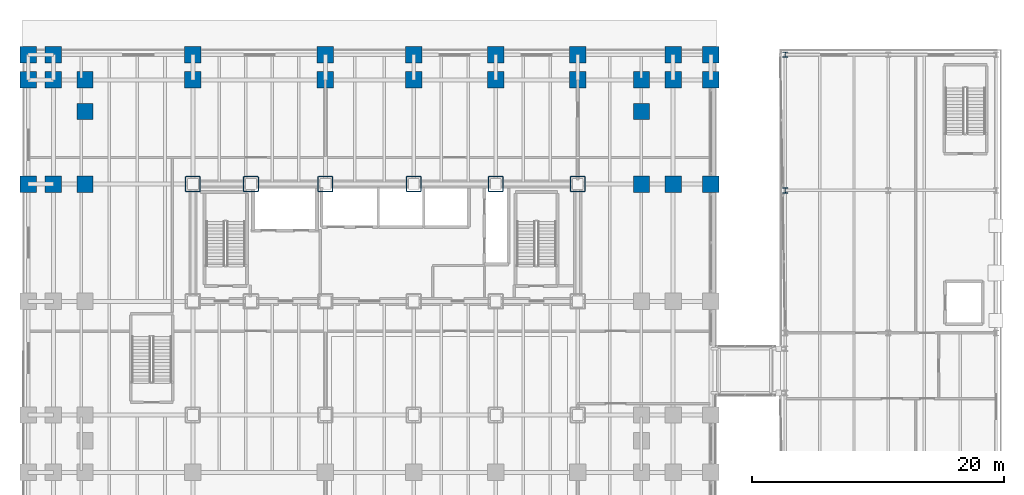
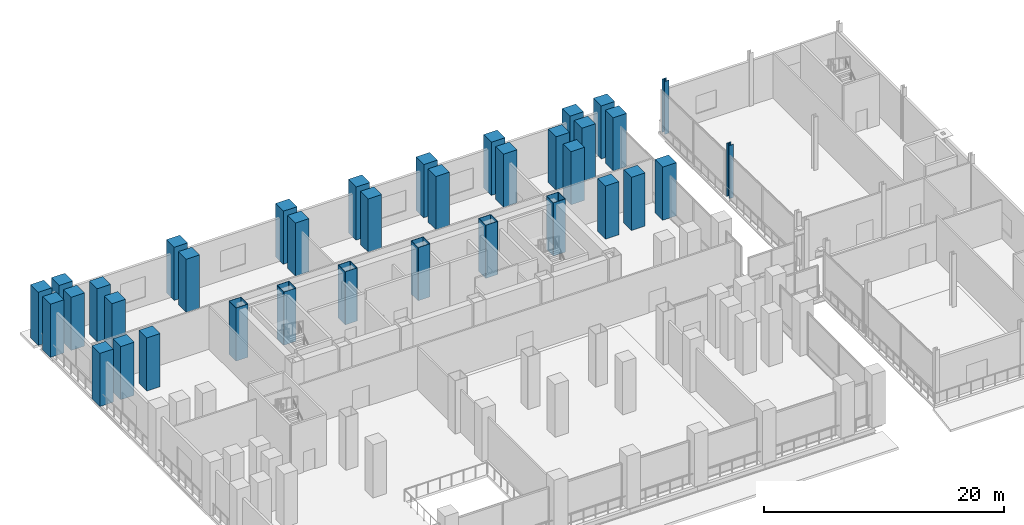
# One storey, part 2 of 32: 36 columns.
"""IFC4 building model written with IfcOpenShell, lengths in metres."""

from ifc_helpers import new_model, si_unit, direction, frame, origin, origin_2d, place, context, subcontext, project, spatial, rectangle, hollow_rectangle, i_section, extrude, material, material_profile, profile_set, type_object, element, save


model = new_model("IFC4")

# Units and contexts
model_context = context("Model", 3, precision=1e-05, world=origin(), true_north=direction((0.0, 1.0)))
body_context = subcontext(model_context, "Body", "Model", "MODEL_VIEW")
ifc_project = project(units=[si_unit("LENGTHUNIT", "METRE"), si_unit("AREAUNIT", "SQUARE_METRE"), si_unit("VOLUMEUNIT", "CUBIC_METRE"), si_unit("PLANEANGLEUNIT", "RADIAN"), si_unit("MASSUNIT", "GRAM", prefix="KILO")], contexts=[model_context])

# Site, building, storey
site_placement = place(None, origin())
site = spatial("IfcSite", under=ifc_project, at=site_placement, CompositionType="ELEMENT")
building_placement = place(site_placement, origin())
building = spatial("IfcBuilding", under=site, at=building_placement, Name="Noeulbin Bourse Tower", CompositionType="ELEMENT")
storey_placement = place(building_placement, frame((0.0, 0.0, 5.800048828125)))
storey = spatial("IfcBuildingStorey", under=building, at=storey_placement, Name="L02", CompositionType="ELEMENT", Elevation=5.800048828125)

# Columns
ifc_material_1 = material(Name="Steel S355", Category="steel")
ifc_material_profile_1 = material_profile(ifc_material_1, i_section(OverallWidth=0.406982421875, OverallDepth=0.427978515625, WebThickness=0.02001953125, FlangeThickness=0.034912109375, FilletRadius=0.02197265625, at=origin_2d()), Name="H-428x407x20x35", Category="LoadBearing")
ifc_profile_set_1 = profile_set([ifc_material_profile_1], Name="Steel S355")
column_type_1 = type_object("IfcColumnType", Name="COL-MKT-ST", PredefinedType="COLUMN", material=ifc_profile_set_1)
for number, where, z_axis, x_axis, name in (
    (1, (60.449951171875, 37.800048828125, 0.0), (0.0, 0.0, 1.0), (1.0, 0.0, 0.0), "Market Hall Column COL-MKT-ST 06"),
    (2, (60.449951171875, 48.550048828125, 0.0), (0.0, 0.0, 1.0), (1.0, 0.0, 0.0), "Market Hall Column COL-MKT-ST 07"),
):
    element("IfcColumn", number, at=place(storey_placement, frame(where, z_axis=z_axis, x_axis=x_axis)), inside=storey, type_object=column_type_1, Name=name, PredefinedType="COLUMN", context=body_context, shape_type="SweptSolid", body=[
        extrude(i_section(OverallWidth=0.406982421875, OverallDepth=0.427978515625, WebThickness=0.02001953125, FlangeThickness=0.034912109375, FilletRadius=0.02197265625, at=origin_2d()), origin(), (0.0, 0.0, 1.0), 5.39990234375),
    ])
ifc_material_2 = material(Name="Concrete C60/75", Category="concrete")
ifc_material_profile_2 = material_profile(ifc_material_2, rectangle(XDim=1.300048828125, YDim=1.300048828125, at=origin_2d()), Name="RC-COL-1300x1300", Category="LoadBearing")
ifc_profile_set_2 = profile_set([ifc_material_profile_2], Name="Concrete C60/75")
column_type_2 = type_object("IfcColumnType", Name="COL-POD-RC", PredefinedType="COLUMN", material=ifc_profile_set_2)
for number, where, z_axis, x_axis, name in (
    (3, (0.449951171875, 38.300048828125, 0.0), (0.0, 0.0, 1.0), (1.0, 0.0, 0.0), "Podium Column COL-POD-RC 05"),
    (4, (0.449951171875, 46.550048828125, 0.0), (0.0, 0.0, 1.0), (1.0, 0.0, 0.0), "Podium Column COL-POD-RC 06"),
    (5, (0.449951171875, 48.550048828125, 0.0), (0.0, 0.0, 1.0), (1.0, 0.0, 0.0), "Podium Column COL-POD-RC 07"),
    (6, (2.449951171875, 38.300048828125, 0.0), (0.0, 0.0, 1.0), (1.0, 0.0, 0.0), "Podium Column COL-POD-RC 12"),
    (7, (2.449951171875, 46.550048828125, 0.0), (0.0, 0.0, 1.0), (1.0, 0.0, 0.0), "Podium Column COL-POD-RC 13"),
    (8, (2.449951171875, 48.550048828125, 0.0), (0.0, 0.0, 1.0), (1.0, 0.0, 0.0), "Podium Column COL-POD-RC 14"),
    (9, (4.949951171875, 38.300048828125, 0.0), (0.0, 0.0, 1.0), (1.0, 0.0, 0.0), "Podium Column COL-POD-RC 19"),
    (10, (4.949951171875, 44.050048828125, 0.0), (0.0, 0.0, 1.0), (1.0, 0.0, 0.0), "Podium Column COL-POD-RC 20"),
    (11, (4.949951171875, 46.550048828125, 0.0), (0.0, 0.0, 1.0), (1.0, 0.0, 0.0), "Podium Column COL-POD-RC 21"),
    (12, (13.5, 46.550048828125, 0.0), (0.0, 0.0, 1.0), (1.0, 0.0, 0.0), "Podium Column COL-POD-RC 24"),
    (13, (13.5, 48.550048828125, 0.0), (0.0, 0.0, 1.0), (1.0, 0.0, 0.0), "Podium Column COL-POD-RC 25"),
    (14, (24.0, 46.550048828125, 0.0), (0.0, 0.0, 1.0), (1.0, 0.0, 0.0), "Podium Column COL-POD-RC 28"),
    (15, (24.0, 48.550048828125, 0.0), (0.0, 0.0, 1.0), (1.0, 0.0, 0.0), "Podium Column COL-POD-RC 29"),
    (16, (31.0, 46.550048828125, 0.0), (0.0, 0.0, 1.0), (1.0, 0.0, 0.0), "Podium Column COL-POD-RC 32"),
    (17, (31.0, 48.550048828125, 0.0), (0.0, 0.0, 1.0), (1.0, 0.0, 0.0), "Podium Column COL-POD-RC 33"),
    (18, (37.5, 46.550048828125, 0.0), (0.0, 0.0, 1.0), (1.0, 0.0, 0.0), "Podium Column COL-POD-RC 36"),
    (19, (37.5, 48.550048828125, 0.0), (0.0, 0.0, 1.0), (1.0, 0.0, 0.0), "Podium Column COL-POD-RC 37"),
    (20, (44.0, 46.550048828125, 0.0), (0.0, 0.0, 1.0), (1.0, 0.0, 0.0), "Podium Column COL-POD-RC 40"),
    (21, (44.0, 48.550048828125, 0.0), (0.0, 0.0, 1.0), (1.0, 0.0, 0.0), "Podium Column COL-POD-RC 41"),
    (22, (49.050048828125, 38.300048828125, 0.0), (0.0, 0.0, 1.0), (1.0, 0.0, 0.0), "Podium Column COL-POD-RC 46"),
    (23, (49.050048828125, 44.050048828125, 0.0), (0.0, 0.0, 1.0), (1.0, 0.0, 0.0), "Podium Column COL-POD-RC 47"),
    (24, (49.050048828125, 46.550048828125, 0.0), (0.0, 0.0, 1.0), (1.0, 0.0, 0.0), "Podium Column COL-POD-RC 48"),
    (25, (51.550048828125, 38.300048828125, 0.0), (0.0, 0.0, 1.0), (1.0, 0.0, 0.0), "Podium Column COL-POD-RC 53"),
    (26, (51.550048828125, 46.550048828125, 0.0), (0.0, 0.0, 1.0), (1.0, 0.0, 0.0), "Podium Column COL-POD-RC 54"),
    (27, (51.550048828125, 48.550048828125, 0.0), (0.0, 0.0, 1.0), (1.0, 0.0, 0.0), "Podium Column COL-POD-RC 55"),
    (28, (54.550048828125, 38.300048828125, 0.0), (0.0, 0.0, 1.0), (1.0, 0.0, 0.0), "Podium Column COL-POD-RC 60"),
    (29, (54.550048828125, 46.550048828125, 0.0), (0.0, 0.0, 1.0), (1.0, 0.0, 0.0), "Podium Column COL-POD-RC 61"),
    (30, (54.550048828125, 48.550048828125, 0.0), (0.0, 0.0, 1.0), (1.0, 0.0, 0.0), "Podium Column COL-POD-RC 62"),
):
    element("IfcColumn", number, at=place(storey_placement, frame(where, z_axis=z_axis, x_axis=x_axis)), inside=storey, type_object=column_type_2, Name=name, PredefinedType="COLUMN", context=body_context, shape_type="SweptSolid", body=[
        extrude(rectangle(XDim=1.300048828125, YDim=1.300048828125, at=origin_2d()), origin(), (0.0, 0.0, 1.0), 5.39990234375),
    ])
ifc_material_3 = material(Name="Steel S460", Category="steel")
ifc_material_profile_3 = material_profile(ifc_material_3, hollow_rectangle(XDim=1.199951171875, YDim=1.199951171875, WallThickness=0.0400390625, InnerFilletRadius=0.02001953125, OuterFilletRadius=0.06005859375, at=origin_2d()), Name="BOX-1200x1200x40", Category="LoadBearing")
ifc_profile_set_3 = profile_set([ifc_material_profile_3], Name="Steel S460")
column_type_3 = type_object("IfcColumnType", Name="COL-TRK-Z0", PredefinedType="COLUMN", material=ifc_profile_set_3)
for number, where, z_axis, x_axis, name in (
    (31, (13.5, 38.300048828125, 0.0), (0.0, 0.0, 1.0), (1.0, 0.0, 0.0), "Tower Trunk Mega-Column COL-TRK-Z0 02"),
    (32, (18.10009765625, 38.300048828125, 0.0), (0.0, 0.0, 1.0), (1.0, 0.0, 0.0), "Tower Trunk Mega-Column COL-TRK-Z0 04"),
    (33, (24.0, 38.300048828125, 0.0), (0.0, 0.0, 1.0), (1.0, 0.0, 0.0), "Tower Trunk Mega-Column COL-TRK-Z0 06"),
    (34, (31.0, 38.300048828125, 0.0), (0.0, 0.0, 1.0), (1.0, 0.0, 0.0), "Tower Trunk Mega-Column COL-TRK-Z0 08"),
    (35, (37.5, 38.300048828125, 0.0), (0.0, 0.0, 1.0), (1.0, 0.0, 0.0), "Tower Trunk Mega-Column COL-TRK-Z0 10"),
    (36, (44.0, 38.300048828125, 0.0), (0.0, 0.0, 1.0), (1.0, 0.0, 0.0), "Tower Trunk Mega-Column COL-TRK-Z0 12"),
):
    element("IfcColumn", number, at=place(storey_placement, frame(where, z_axis=z_axis, x_axis=x_axis)), inside=storey, type_object=column_type_3, Name=name, PredefinedType="COLUMN", context=body_context, shape_type="SweptSolid", body=[
        extrude(hollow_rectangle(XDim=1.199951171875, YDim=1.199951171875, WallThickness=0.0400390625, InnerFilletRadius=0.02001953125, OuterFilletRadius=0.06005859375, at=origin_2d()), origin(), (0.0, 0.0, 1.0), 5.39990234375),
    ])

save(model, "model.ifc")
